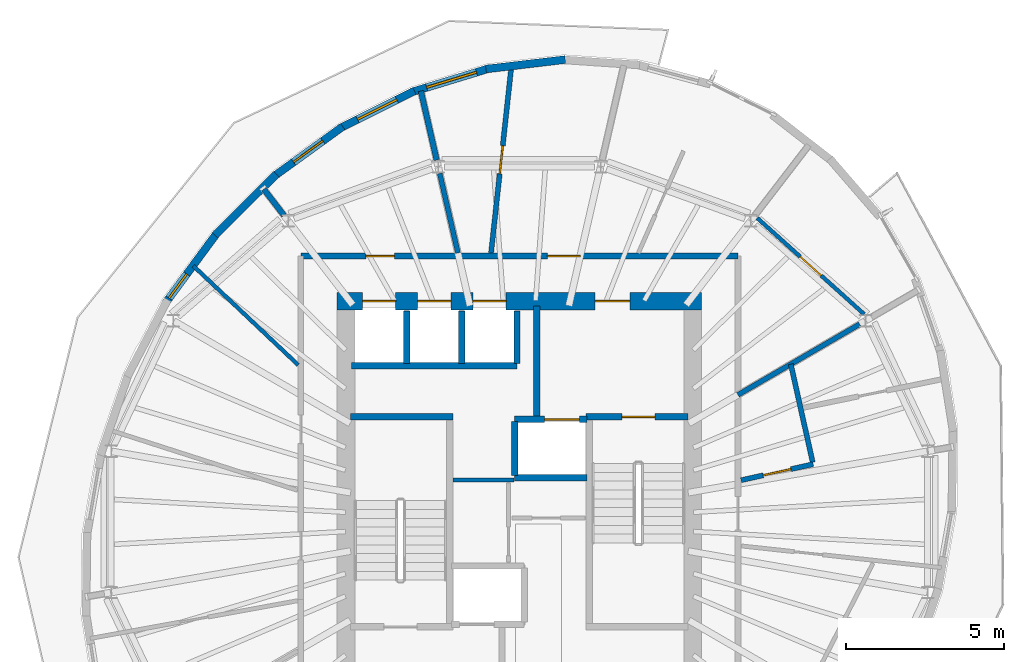
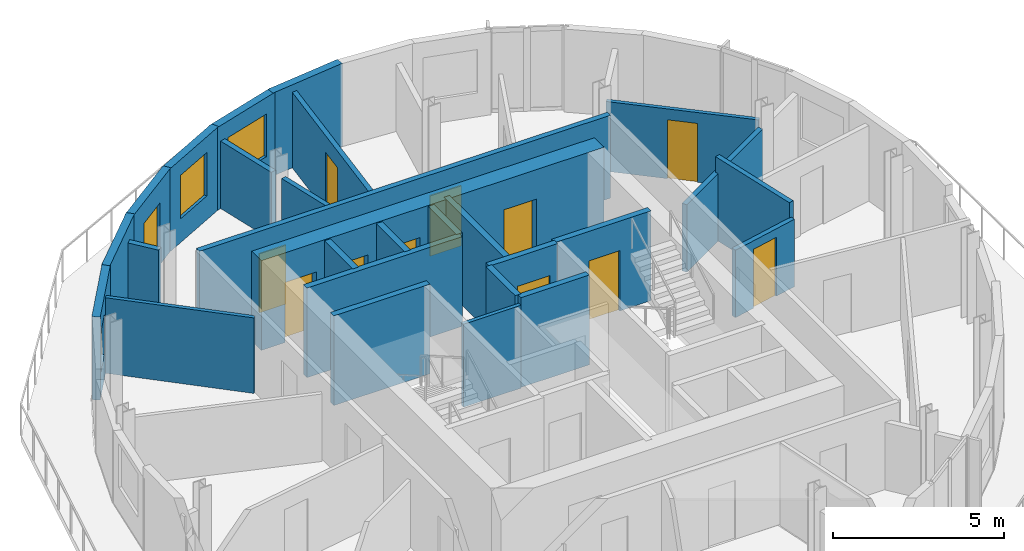
# One storey, part 6 of 9: 28 walls, 12 doors, 3 windows, 15 openings.
"""IFC4 building model written with IfcOpenShell, lengths in metres."""

from ifc_helpers import new_model, si_unit, direction, frame, frame_2d, origin, place, context, subcontext, project, spatial, rectangle, extrude, material, layer, layer_set, type_object, element, fill, save


model = new_model("IFC4")

# Units and contexts
model_context = context("Model", 3, precision=1e-05, world=origin(), true_north=direction((0.0, 1.0)))
body_context = subcontext(model_context, "Body", "Model", "MODEL_VIEW")
ifc_project = project(units=[si_unit("LENGTHUNIT", "METRE"), si_unit("AREAUNIT", "SQUARE_METRE"), si_unit("VOLUMEUNIT", "CUBIC_METRE"), si_unit("PLANEANGLEUNIT", "RADIAN"), si_unit("MASSUNIT", "GRAM", prefix="KILO")], contexts=[model_context])

# Site, building, storey
site_placement = place(None, origin())
site = spatial("IfcSite", under=ifc_project, at=site_placement, CompositionType="ELEMENT")
building_placement = place(site_placement, origin())
building = spatial("IfcBuilding", under=site, at=building_placement, Name="Veldorim Arch Residences", CompositionType="ELEMENT")
storey_placement = place(building_placement, frame((0.0, 0.0, 233.43994140625)))
storey = spatial("IfcBuildingStorey", under=building, at=storey_placement, Name="L70", CompositionType="ELEMENT", Elevation=233.43994140625)

# Wall
ifc_material_1 = material(Name="Acoustic Gypsum Board", Category="gypsum")
ifc_layer_1 = layer(ifc_material_1, 0.125, Name="Acoustic Stud Room Partition Wall 125")
ifc_layer_set_1 = layer_set([ifc_layer_1], Name="Acoustic Gypsum Board")
wall_type_1 = type_object("IfcWallType", Name="Acoustic Stud Room Partition Wall 125", PredefinedType="PARTITIONING", material=ifc_layer_set_1)
wall_1_placement = place(storey_placement, frame((29.889892578125, 25.330078125, 0.0), z_axis=(0.0, 0.0, 1.0), x_axis=(1.0, 0.0, 0.0)))
element("IfcWall", 1, at=wall_1_placement, inside=storey, type_object=wall_type_1, Name="L70 interior wall WL-CA-L70-N", PredefinedType="PARTITIONING", context=body_context, shape_type="SweptSolid", body=[
    extrude(rectangle(XDim=1.940185546875, YDim=0.125, at=frame_2d((0.97021484375, 0.0))), origin(), (0.0, 0.0, 1.0), 2.955078125),
])

# Wall, opening, door
wall_2_placement = place(storey_placement, frame((39.541015625, 33.635009765625, 0.0), z_axis=(0.0, 0.0, 1.0), x_axis=(0.743640369197, -0.668579839137, 0.0)))
wall_2 = element("IfcWall", 2, at=wall_2_placement, inside=storey, type_object=wall_type_1, Name="L70 interior wall WL-RES-L70-021", PredefinedType="PARTITIONING", context=body_context, shape_type="SweptSolid", body=[
    extrude(rectangle(XDim=4.556884765625, YDim=0.125, at=frame_2d((2.2783203125, 0.0))), origin(), (0.0, 0.0, 1.0), 2.488037109375),
])
opening_1_placement = place(wall_2_placement, frame((1.82861328125, 0.0, 0.0)))
opening_1 = element("IfcOpeningElement", 3, at=opening_1_placement, cuts=wall_2, Name="Opening DR-INT", PredefinedType="OPENING", context=body_context, shape_type="SweptSolid", body=[
    extrude(rectangle(XDim=0.89990234375, YDim=2.10009765625, at=frame_2d((0.449951171875, 1.050048828125))), frame((0.0, 0.072509765625, 0.0), z_axis=(0.0, -1.0, 0.0), x_axis=(1.0, 0.0, 0.0)), (0.0, 0.0, 1.0), 0.14501953125),
])
ifc_material_2 = material(Name="Engineered Timber", Category="wood")
door_type_1 = type_object("IfcDoorType", Name="Apartment Internal Room Timber Door 900x2100", OperationType="SINGLE_SWING_LEFT", PredefinedType="DOOR", material=ifc_material_2)
door_1_placement = place(opening_1_placement, origin())
door_1 = element("IfcDoor", 4, at=door_1_placement, inside=storey, type_object=door_type_1, Name="L70 interior door DR-RES-L70-014", OperationType="SINGLE_SWING_RIGHT", OverallHeight=2.10009765625, OverallWidth=0.89990234375, PredefinedType="DOOR", context=body_context, shape_type="SweptSolid", body=[
    extrude(rectangle(XDim=0.89990234375, YDim=2.10009765625, at=frame_2d((0.449951171875, 1.050048828125))), frame((0.0, 0.02490234375, 0.0), z_axis=(0.0, -1.0, 0.0), x_axis=(1.0, 0.0, 0.0)), (0.0, 0.0, 1.0), 0.050048828125),
])
fill(opening_1, door_1)

# Walls
wall_3_placement = place(storey_placement, frame((21.658203125, 32.118408203125, 0.0), z_axis=(0.0, 0.0, 1.0), x_axis=(0.726945050947, -0.686695633381, 0.0)))
element("IfcWall", 5, at=wall_3_placement, inside=storey, type_object=wall_type_1, Name="L70 interior wall WL-RES-L70-024", PredefinedType="PARTITIONING", context=body_context, shape_type="SweptSolid", body=[
    extrude(rectangle(XDim=4.573486328125, YDim=0.125, at=frame_2d((2.28662109375, 0.0))), origin(), (0.0, 0.0, 1.0), 2.692138671875),
])
ifc_material_3 = material(Name="Lightweight Masonry Block & Gypsum", Category="masonry")
ifc_layer_2 = layer(ifc_material_3, 0.179931640625, Name="Compartment & Corridor Fire-Rated Party Wall 180")
ifc_layer_set_2 = layer_set([ifc_layer_2], Name="Lightweight Masonry Block & Gypsum")
wall_type_2 = type_object("IfcWallType", Name="Compartment & Corridor Fire-Rated Party Wall 180", PredefinedType="PARTITIONING", material=ifc_layer_set_2)
wall_4_placement = place(storey_placement, frame((29.3759765625, 35.473388671875, 0.0), z_axis=(0.0, 0.0, 1.0), x_axis=(-0.223034234637, 0.974810612468, 0.0)))
element("IfcWall", 6, at=wall_4_placement, inside=storey, type_object=wall_type_2, Name="L70 interior wall WL-PIER-L70-05", PredefinedType="PARTITIONING", context=body_context, shape_type="SweptSolid", body=[
    extrude(rectangle(XDim=2.247314453125, YDim=0.179931640625, at=frame_2d((1.12353515625, 0.0))), origin(), (0.0, 0.0, 1.0), 2.403564453125),
])
wall_5_placement = place(storey_placement, frame((24.53271484375, 33.719482421875, 0.0), z_axis=(0.0, 0.0, 1.0), x_axis=(-0.609328843401, 0.792917625356, 0.0)))
element("IfcWall", 7, at=wall_5_placement, inside=storey, type_object=wall_type_2, Name="L70 interior wall WL-PIER-L70-06", PredefinedType="PARTITIONING", context=body_context, shape_type="SweptSolid", body=[
    extrude(rectangle(XDim=1.050537109375, YDim=0.179931640625, at=frame_2d((0.525390625, 0.0))), origin(), (0.0, 0.0, 1.0), 2.403564453125),
])

# Wall, openings, doors
wall_6_placement = place(storey_placement, frame((25.070068359375, 32.429931640625, 0.0), z_axis=(0.0, 0.0, 1.0), x_axis=(1.0, 0.0, 0.0)))
wall_6 = element("IfcWall", 8, at=wall_6_placement, inside=storey, type_object=wall_type_2, Name="L70 interior wall WL-RES-L70-004", PredefinedType="PARTITIONING", context=body_context, shape_type="SweptSolid", body=[
    extrude(rectangle(XDim=13.85986328125, YDim=0.179931640625, at=frame_2d((6.929931640625, 0.0))), origin(), (0.0, 0.0, 1.0), 2.955078125),
])
opening_2_placement = place(wall_6_placement, frame((7.816162109375, 0.0, 0.0)))
opening_2 = element("IfcOpeningElement", 9, at=opening_2_placement, cuts=wall_6, Name="Opening DR-FLT", PredefinedType="OPENING", context=body_context, shape_type="SweptSolid", body=[
    extrude(rectangle(XDim=1.050048828125, YDim=2.14990234375, at=frame_2d((0.52490234375, 1.074951171875))), frame((0.0, 0.099853515625, 0.0), z_axis=(0.0, -1.0, 0.0), x_axis=(1.0, 0.0, 0.0)), (0.0, 0.0, 1.0), 0.199951171875),
])
opening_3_placement = place(wall_6_placement, frame((2.06103515625, 0.0, 0.0)))
opening_3 = element("IfcOpeningElement", 10, at=opening_3_placement, cuts=wall_6, Name="Opening DR-INT", PredefinedType="OPENING", context=body_context, shape_type="SweptSolid", body=[
    extrude(rectangle(XDim=0.89990234375, YDim=2.10009765625, at=frame_2d((0.449951171875, 1.050048828125))), frame((0.0, 0.099853515625, 0.0), z_axis=(0.0, -1.0, 0.0), x_axis=(1.0, 0.0, 0.0)), (0.0, 0.0, 1.0), 0.199951171875),
])
ifc_material_4 = material(Name="Fire-Rated Timber", Category="wood")
door_type_2 = type_object("IfcDoorType", Name="Apartment Entrance Solid-Core Fire Door 1050x2150", OperationType="SINGLE_SWING_LEFT", PredefinedType="DOOR", material=ifc_material_4)
door_2_placement = place(opening_2_placement, origin())
door_2 = element("IfcDoor", 11, at=door_2_placement, inside=storey, type_object=door_type_2, Name="L70 interior door DR-RES-L70-011", OperationType="SINGLE_SWING_LEFT", OverallHeight=2.14990234375, OverallWidth=1.050048828125, PredefinedType="DOOR", context=body_context, shape_type="SweptSolid", body=[
    extrude(rectangle(XDim=1.050048828125, YDim=2.14990234375, at=frame_2d((0.52490234375, 1.074951171875))), frame((0.0, 0.02490234375, 0.0), z_axis=(0.0, -1.0, 0.0), x_axis=(1.0, 0.0, 0.0)), (0.0, 0.0, 1.0), 0.050048828125),
])
fill(opening_2, door_2)
door_3_placement = place(opening_3_placement, origin())
door_3 = element("IfcDoor", 12, at=door_3_placement, inside=storey, type_object=door_type_1, Name="L70 interior door DR-RES-L70-017", OperationType="SINGLE_SWING_LEFT", OverallHeight=2.10009765625, OverallWidth=0.89990234375, PredefinedType="DOOR", context=body_context, shape_type="SweptSolid", body=[
    extrude(rectangle(XDim=0.89990234375, YDim=2.10009765625, at=frame_2d((0.449951171875, 1.050048828125))), frame((0.0, 0.02490234375, 0.0), z_axis=(0.0, -1.0, 0.0), x_axis=(1.0, 0.0, 0.0)), (0.0, 0.0, 1.0), 0.050048828125),
])
fill(opening_3, door_3)

# Wall
ifc_material_5 = material(Name="Concrete C50/60", Category="concrete")
ifc_layer_3 = layer(ifc_material_5, 0.199951171875, Name="Core Stair & Lift Shaft Enclosure Wall 200")
ifc_layer_set_3 = layer_set([ifc_layer_3], Name="Concrete C50/60")
wall_type_3 = type_object("IfcWallType", Name="Core Stair & Lift Shaft Enclosure Wall 200", PredefinedType="SHEAR", material=ifc_layer_set_3)
wall_7_placement = place(storey_placement, frame((26.64990234375, 27.330078125, 0.0), z_axis=(0.0, 0.0, 1.0), x_axis=(1.0, 0.0, 0.0)))
element("IfcWall", 13, at=wall_7_placement, inside=storey, type_object=wall_type_3, Name="L70 shaft wall WL-SHF-L70-ST1-N", PredefinedType="SHEAR", context=body_context, shape_type="SweptSolid", body=[
    extrude(rectangle(XDim=3.239990234375, YDim=0.199951171875, at=frame_2d((1.6201171875, 0.0))), origin(), (0.0, 0.0, 1.0), 3.199951171875),
])

# Wall, opening, door
wall_8_placement = place(storey_placement, frame((34.110107421875, 27.330078125, 0.0), z_axis=(0.0, 0.0, 1.0), x_axis=(1.0, 0.0, 0.0)))
wall_8 = element("IfcWall", 14, at=wall_8_placement, inside=storey, type_object=wall_type_3, Name="L70 shaft wall WL-SHF-L70-ST2-N", PredefinedType="SHEAR", context=body_context, shape_type="SweptSolid", body=[
    extrude(rectangle(XDim=3.239990234375, YDim=0.199951171875, at=frame_2d((1.6201171875, 0.0))), origin(), (0.0, 0.0, 1.0), 3.199951171875),
])
opening_4_placement = place(wall_8_placement, frame((1.135009765625, 0.0, 0.0)))
opening_4 = element("IfcOpeningElement", 15, at=opening_4_placement, cuts=wall_8, Name="Opening DR-ST", PredefinedType="OPENING", context=body_context, shape_type="SweptSolid", body=[
    extrude(rectangle(XDim=1.050048828125, YDim=2.14990234375, at=frame_2d((0.52490234375, 1.074951171875))), frame((0.0, 0.10986328125, 0.0), z_axis=(0.0, -1.0, 0.0), x_axis=(1.0, 0.0, 0.0)), (0.0, 0.0, 1.0), 0.219970703125),
])
ifc_material_6 = material(Name="Fire-Rated Steel", Category="steel")
door_type_3 = type_object("IfcDoorType", Name="Exit Staircase Self-Closing Fire Door 1050x2150", OperationType="SINGLE_SWING_LEFT", PredefinedType="DOOR", material=ifc_material_6)
door_4_placement = place(opening_4_placement, origin())
door_4 = element("IfcDoor", 16, at=door_4_placement, inside=storey, type_object=door_type_3, Name="L70 interior door DR-L70-ST2", OperationType="SINGLE_SWING_RIGHT", OverallHeight=2.14990234375, OverallWidth=1.050048828125, PredefinedType="DOOR", context=body_context, shape_type="SweptSolid", body=[
    extrude(rectangle(XDim=1.050048828125, YDim=2.14990234375, at=frame_2d((0.52490234375, 1.074951171875))), frame((0.0, 0.02490234375, 0.0), z_axis=(0.0, -1.0, 0.0), x_axis=(1.0, 0.0, 0.0)), (0.0, 0.0, 1.0), 0.050048828125),
])
fill(opening_4, door_4)

# Wall
wall_9_placement = place(storey_placement, frame((32.550048828125, 27.35009765625, 0.0), z_axis=(0.0, 0.0, 1.0), x_axis=(0.0, 1.0, 0.0)))
element("IfcWall", 17, at=wall_9_placement, inside=storey, type_object=wall_type_3, Name="L70 shaft wall WL-FFL2-L70-W", PredefinedType="SHEAR", context=body_context, shape_type="SweptSolid", body=[
    extrude(rectangle(XDim=3.5, YDim=0.199951171875, at=frame_2d((1.75, 0.0))), origin(), (0.0, 0.0, 1.0), 3.199951171875),
])

# Wall, opening, door
wall_10_placement = place(storey_placement, frame((31.85009765625, 27.25, 0.0), z_axis=(0.0, 0.0, 1.0), x_axis=(1.0, 0.0, 0.0)))
wall_10 = element("IfcWall", 18, at=wall_10_placement, inside=storey, type_object=wall_type_3, Name="L70 shaft wall WL-FL02-L70-N", PredefinedType="SHEAR", context=body_context, shape_type="SweptSolid", body=[
    extrude(rectangle(XDim=2.2998046875, YDim=0.199951171875, at=frame_2d((1.14990234375, 0.0))), origin(), (0.0, 0.0, 1.0), 3.199951171875),
])
opening_5_placement = place(wall_10_placement, frame((0.949951171875, 0.0, 0.0)))
opening_5 = element("IfcOpeningElement", 19, at=opening_5_placement, cuts=wall_10, Name="Opening LD-FF", PredefinedType="OPENING", context=body_context, shape_type="SweptSolid", body=[
    extrude(rectangle(XDim=1.10009765625, YDim=2.14990234375, at=frame_2d((0.550048828125, 1.074951171875))), frame((0.0, 0.10986328125, 0.0), z_axis=(0.0, -1.0, 0.0), x_axis=(1.0, 0.0, 0.0)), (0.0, 0.0, 1.0), 0.219970703125),
])
ifc_material_7 = material(Name="Stainless Steel", Category="steel")
door_type_4 = type_object("IfcDoorType", Name="Firefighting Lift Bi-Parting Sliding Landing Door 1100x2150", OperationType="DOUBLE_DOOR_SLIDING", PredefinedType="DOOR", material=ifc_material_7)
door_5_placement = place(opening_5_placement, origin())
door_5 = element("IfcDoor", 20, at=door_5_placement, inside=storey, type_object=door_type_4, Name="L70 lift landing door LD-L70-FL02", OperationType="DOUBLE_DOOR_SLIDING", OverallHeight=2.14990234375, OverallWidth=1.10009765625, PredefinedType="DOOR", context=body_context, shape_type="SweptSolid", body=[
    extrude(rectangle(XDim=1.10009765625, YDim=2.14990234375, at=frame_2d((0.550048828125, 1.074951171875))), frame((0.0, 0.02490234375, 0.0), z_axis=(0.0, -1.0, 0.0), x_axis=(1.0, 0.0, 0.0)), (0.0, 0.0, 1.0), 0.050048828125),
])
fill(opening_5, door_5)

# Walls
wall_11_placement = place(storey_placement, frame((31.85009765625, 25.39990234375, 0.0), z_axis=(0.0, 0.0, 1.0), x_axis=(1.0, 0.0, 0.0)))
element("IfcWall", 21, at=wall_11_placement, inside=storey, type_object=wall_type_3, Name="L70 shaft wall WL-FL02-L70-S", PredefinedType="SHEAR", context=body_context, shape_type="SweptSolid", body=[
    extrude(rectangle(XDim=2.2998046875, YDim=0.199951171875, at=frame_2d((1.14990234375, 0.0))), origin(), (0.0, 0.0, 1.0), 3.199951171875),
])
wall_12_placement = place(storey_placement, frame((31.85009765625, 25.469970703125, 0.0), z_axis=(0.0, 0.0, 1.0), x_axis=(0.0, 1.0, 0.0)))
element("IfcWall", 22, at=wall_12_placement, inside=storey, type_object=wall_type_3, Name="L70 shaft wall WL-FL02-L70-W", PredefinedType="SHEAR", context=body_context, shape_type="SweptSolid", body=[
    extrude(rectangle(XDim=1.7099609375, YDim=0.199951171875, at=frame_2d((0.85498046875, 0.0))), origin(), (0.0, 0.0, 1.0), 3.199951171875),
])
wall_13_placement = place(storey_placement, frame((26.679931640625, 28.949951171875, 0.0), z_axis=(0.0, 0.0, 1.0), x_axis=(1.0, 0.0, 0.0)))
element("IfcWall", 23, at=wall_13_placement, inside=storey, type_object=wall_type_3, Name="L70 shaft wall WL-B3-L70-S", PredefinedType="SHEAR", context=body_context, shape_type="SweptSolid", body=[
    extrude(rectangle(XDim=5.239990234375, YDim=0.199951171875, at=frame_2d((2.6201171875, 0.0))), origin(), (0.0, 0.0, 1.0), 3.199951171875),
])
for number, where, z_axis, x_axis, name in (
    (24, (31.919921875, 29.02001953125, 0.0), (0.0, 0.0, 1.0), (0.0, 1.0, 0.0), "L70 shaft wall WL-B3-L70-E"),
    (25, (28.425048828125, 29.02001953125, 0.0), (0.0, 0.0, 1.0), (0.0, 1.0, 0.0), "L70 shaft wall WL-B3-L70-D1"),
    (26, (30.175048828125, 29.02001953125, 0.0), (0.0, 0.0, 1.0), (0.0, 1.0, 0.0), "L70 shaft wall WL-B3-L70-D2"),
):
    element("IfcWall", number, at=place(storey_placement, frame(where, z_axis=z_axis, x_axis=x_axis)), inside=storey, type_object=wall_type_3, Name=name, PredefinedType="SHEAR", context=body_context, shape_type="SweptSolid", body=[
        extrude(rectangle(XDim=1.659912109375, YDim=0.199951171875, at=frame_2d((0.830078125, 0.0))), origin(), (0.0, 0.0, 1.0), 3.199951171875),
    ])
ifc_material_8 = material(Name="Precast concrete C40/50", Category="concrete")
ifc_layer_4 = layer(ifc_material_8, 0.25, Name="Tower Terracotta Spandrel & Pier Wall 250")
ifc_layer_set_4 = layer_set([ifc_layer_4], Name="Precast concrete C40/50")
wall_type_4 = type_object("IfcWallType", Name="Tower Terracotta Spandrel & Pier Wall 250", PredefinedType="SOLIDWALL", material=ifc_layer_set_4)
wall_14_placement = place(storey_placement, frame((30.938232421875, 38.36083984375, 0.0), z_axis=(0.0, 0.0, 1.0), x_axis=(0.992953737746, 0.118502635821, 0.0)))
element("IfcWall", 27, at=wall_14_placement, inside=storey, type_object=wall_type_4, Name="L70 terracotta facade wall 04", PredefinedType="SOLIDWALL", context=body_context, shape_type="SweptSolid", body=[
    extrude(rectangle(XDim=2.531982421875, YDim=0.25, at=frame_2d((1.26611328125, 0.0))), origin(), (0.0, 0.0, 1.0), 2.9599609375),
])

# Wall, opening, window
wall_15_placement = place(storey_placement, frame((28.568115234375, 37.6279296875, 0.0), z_axis=(0.0, 0.0, 1.0), x_axis=(0.956515193001, 0.291682508145, 0.0)))
wall_15 = element("IfcWall", 28, at=wall_15_placement, inside=storey, type_object=wall_type_4, Name="L70 terracotta facade wall 05", PredefinedType="SOLIDWALL", context=body_context, shape_type="SweptSolid", body=[
    extrude(rectangle(XDim=2.59228515625, YDim=0.25, at=frame_2d((1.296142578125, 0.0))), origin(), (0.0, 0.0, 1.0), 2.9599609375),
])
opening_6_placement = place(wall_15_placement, frame((0.512939453125, 0.0, 0.85009765625)))
opening_6 = element("IfcOpeningElement", 29, at=opening_6_placement, cuts=wall_15, Name="Opening WN-03", PredefinedType="OPENING", context=body_context, shape_type="SweptSolid", body=[
    extrude(rectangle(XDim=1.64990234375, YDim=1.52001953125, at=frame_2d((0.824951171875, 0.760009765625))), frame((0.0, 0.135009765625, 0.0), z_axis=(0.0, -1.0, 0.0), x_axis=(1.0, 0.0, 0.0)), (0.0, 0.0, 1.0), 0.27001953125),
])
ifc_material_9 = material(Name="Laminated Low-E Glass", Category="glass")
window_type_1 = type_object("IfcWindowType", Name="Residential Wide Window 1650x1550", PartitioningType="SINGLE_PANEL", PredefinedType="WINDOW", material=ifc_material_9)
window_1_placement = place(opening_6_placement, origin())
window_1 = element("IfcWindow", 30, at=window_1_placement, inside=storey, type_object=window_type_1, Name="L70 solar-control facade window 05", OverallHeight=1.52001953125, OverallWidth=1.64990234375, PartitioningType="SINGLE_PANEL", PredefinedType="WINDOW", context=body_context, shape_type="SweptSolid", body=[
    extrude(rectangle(XDim=1.64990234375, YDim=1.52001953125, at=frame_2d((0.824951171875, 0.760009765625))), frame((0.0, 0.030029296875, 0.0), z_axis=(0.0, -1.0, 0.0), x_axis=(1.0, 0.0, 0.0)), (0.0, 0.0, 1.0), 0.06005859375),
])
fill(opening_6, window_1)

wall_16_placement = place(storey_placement, frame((26.30126953125, 36.48095703125, 0.0), z_axis=(0.0, 0.0, 1.0), x_axis=(0.893929345503, 0.448207904045, 0.0)))
wall_16 = element("IfcWall", 31, at=wall_16_placement, inside=storey, type_object=wall_type_4, Name="L70 terracotta facade wall 06", PredefinedType="SOLIDWALL", context=body_context, shape_type="SweptSolid", body=[
    extrude(rectangle(XDim=2.651123046875, YDim=0.25, at=frame_2d((1.32568359375, 0.0))), origin(), (0.0, 0.0, 1.0), 2.9599609375),
])
opening_7_placement = place(wall_16_placement, frame((0.6259765625, 0.0, 0.85009765625)))
opening_7 = element("IfcOpeningElement", 32, at=opening_7_placement, cuts=wall_16, Name="Opening WN-02", PredefinedType="OPENING", context=body_context, shape_type="SweptSolid", body=[
    extrude(rectangle(XDim=1.39990234375, YDim=1.550048828125, at=frame_2d((0.699951171875, 0.77490234375))), frame((0.0, 0.135009765625, 0.0), z_axis=(0.0, -1.0, 0.0), x_axis=(1.0, 0.0, 0.0)), (0.0, 0.0, 1.0), 0.27001953125),
])
ifc_material_10 = material(Name="Laminated Low-E Glass", Category="glass")
window_type_2 = type_object("IfcWindowType", Name="Residential Casement Window 1400x1550", PartitioningType="SINGLE_PANEL", PredefinedType="WINDOW", material=ifc_material_10)
window_2_placement = place(opening_7_placement, origin())
window_2 = element("IfcWindow", 33, at=window_2_placement, inside=storey, type_object=window_type_2, Name="L70 solar-control facade window 06", OverallHeight=1.550048828125, OverallWidth=1.39990234375, PartitioningType="SINGLE_PANEL", PredefinedType="WINDOW", context=body_context, shape_type="SweptSolid", body=[
    extrude(rectangle(XDim=1.39990234375, YDim=1.550048828125, at=frame_2d((0.699951171875, 0.77490234375))), frame((0.0, 0.030029296875, 0.0), z_axis=(0.0, -1.0, 0.0), x_axis=(1.0, 0.0, 0.0)), (0.0, 0.0, 1.0), 0.06005859375),
])
fill(opening_7, window_2)

# Wall, opening, door
wall_17_placement = place(storey_placement, frame((24.206298828125, 34.954345703125, 0.0), z_axis=(0.0, 0.0, 1.0), x_axis=(0.810152271105, 0.586219496113, 0.0)))
wall_17 = element("IfcWall", 34, at=wall_17_placement, inside=storey, type_object=wall_type_4, Name="L70 terracotta facade wall 07", PredefinedType="SOLIDWALL", context=body_context, shape_type="SweptSolid", body=[
    extrude(rectangle(XDim=2.70166015625, YDim=0.25, at=frame_2d((1.350830078125, 0.0))), origin(), (0.0, 0.0, 1.0), 2.9599609375),
])
opening_8_placement = place(wall_17_placement, frame((0.77587890625, 0.0, 0.0)))
opening_8 = element("IfcOpeningElement", 35, at=opening_8_placement, cuts=wall_17, Name="Opening BL-DR", PredefinedType="OPENING", context=body_context, shape_type="SweptSolid", body=[
    extrude(rectangle(XDim=1.14990234375, YDim=2.199951171875, at=frame_2d((0.574951171875, 1.10009765625))), frame((0.0, 0.135009765625, 0.0), z_axis=(0.0, -1.0, 0.0), x_axis=(1.0, 0.0, 0.0)), (0.0, 0.0, 1.0), 0.27001953125),
])
ifc_material_11 = material(Name="Aluminium & Low-E Glass", Category="aluminium")
door_type_5 = type_object("IfcDoorType", Name="Glazed Planted Balcony Door 1150x2200", OperationType="SINGLE_SWING_LEFT", PredefinedType="DOOR", material=ifc_material_11)
door_6_placement = place(opening_8_placement, origin())
door_6 = element("IfcDoor", 36, at=door_6_placement, inside=storey, type_object=door_type_5, Name="L70 glazed outdoor terrace door BALC-1", OperationType="SINGLE_SWING_LEFT", OverallHeight=2.199951171875, OverallWidth=1.14990234375, PredefinedType="DOOR", context=body_context, shape_type="SweptSolid", body=[
    extrude(rectangle(XDim=1.14990234375, YDim=2.199951171875, at=frame_2d((0.574951171875, 1.10009765625))), frame((0.0, 0.02490234375, 0.0), z_axis=(0.0, -1.0, 0.0), x_axis=(1.0, 0.0, 0.0)), (0.0, 0.0, 1.0), 0.050048828125),
])
fill(opening_8, door_6)

# Wall
wall_18_placement = place(storey_placement, frame((22.347900390625, 33.09375, 0.0), z_axis=(0.0, 0.0, 1.0), x_axis=(0.709065267838, 0.705142854991, 0.0)))
element("IfcWall", 37, at=wall_18_placement, inside=storey, type_object=wall_type_4, Name="L70 terracotta facade wall 08", PredefinedType="SOLIDWALL", context=body_context, shape_type="SweptSolid", body=[
    extrude(rectangle(XDim=2.73876953125, YDim=0.25, at=frame_2d((1.369384765625, 0.0))), origin(), (0.0, 0.0, 1.0), 2.9599609375),
])

# Wall, opening, window
wall_19_placement = place(storey_placement, frame((20.78271484375, 30.9560546875, 0.0), z_axis=(0.0, 0.0, 1.0), x_axis=(0.59332282632, 0.804964610258, 0.0)))
wall_19 = element("IfcWall", 38, at=wall_19_placement, inside=storey, type_object=wall_type_4, Name="L70 terracotta facade wall 09", PredefinedType="SOLIDWALL", context=body_context, shape_type="SweptSolid", body=[
    extrude(rectangle(XDim=2.758056640625, YDim=0.25, at=frame_2d((1.37890625, 0.0))), origin(), (0.0, 0.0, 1.0), 2.9599609375),
])
opening_9_placement = place(wall_19_placement, frame((0.175048828125, 0.0, 0.85009765625)))
opening_9 = element("IfcOpeningElement", 39, at=opening_9_placement, cuts=wall_19, Name="Opening WN-05", PredefinedType="OPENING", context=body_context, shape_type="SweptSolid", body=[
    extrude(rectangle(XDim=0.949951171875, YDim=1.449951171875, at=frame_2d((0.47509765625, 0.72509765625))), frame((0.0, 0.135009765625, 0.0), z_axis=(0.0, -1.0, 0.0), x_axis=(1.0, 0.0, 0.0)), (0.0, 0.0, 1.0), 0.27001953125),
])
ifc_material_12 = material(Name="Laminated Low-E Glass", Category="glass")
window_type_3 = type_object("IfcWindowType", Name="Residential Compact Casement Window 950x1450", PartitioningType="SINGLE_PANEL", PredefinedType="WINDOW", material=ifc_material_12)
window_3_placement = place(opening_9_placement, origin())
window_3 = element("IfcWindow", 40, at=window_3_placement, inside=storey, type_object=window_type_3, Name="L70 solar-control facade window 09", OverallHeight=1.449951171875, OverallWidth=0.949951171875, PartitioningType="SINGLE_PANEL", PredefinedType="WINDOW", context=body_context, shape_type="SweptSolid", body=[
    extrude(rectangle(XDim=0.949951171875, YDim=1.449951171875, at=frame_2d((0.47509765625, 0.72509765625))), frame((0.0, 0.030029296875, 0.0), z_axis=(0.0, -1.0, 0.0), x_axis=(1.0, 0.0, 0.0)), (0.0, 0.0, 1.0), 0.06005859375),
])
fill(opening_9, window_3)

# Wall, openings, doors
ifc_material_13 = material(Name="Concrete C50/60", Category="concrete")
ifc_layer_5 = layer(ifc_material_13, 0.5, Name="Upper Central Core Shear Wall 560")
ifc_layer_set_5 = layer_set([ifc_layer_5], Name="Concrete C50/60")
wall_type_5 = type_object("IfcWallType", Name="Upper Central Core Shear Wall 560", PredefinedType="SHEAR", material=ifc_layer_set_5)
wall_20_placement = place(storey_placement, frame((26.219970703125, 31.0, 0.0), z_axis=(0.0, 0.0, 1.0), x_axis=(1.0, 0.0, 0.0)))
wall_20 = element("IfcWall", 41, at=wall_20_placement, inside=storey, type_object=wall_type_5, Name="L70 central core north shear wall", PredefinedType="SHEAR", context=body_context, shape_type="SweptSolid", body=[
    extrude(rectangle(XDim=11.56005859375, YDim=0.56005859375, at=frame_2d((5.780029296875, 0.0))), origin(), (0.0, 0.0, 1.0), 3.199951171875),
])
opening_10_placement = place(wall_20_placement, frame((8.179931640625, 0.0, 0.0)))
opening_10 = element("IfcOpeningElement", 42, at=opening_10_placement, cuts=wall_20, Name="Opening DR-FFL", PredefinedType="OPENING", context=body_context, shape_type="SweptSolid", body=[
    extrude(rectangle(XDim=1.10009765625, YDim=2.14990234375, at=frame_2d((0.550048828125, 1.074951171875))), frame((0.0, 0.2900390625, 0.0), z_axis=(0.0, -1.0, 0.0), x_axis=(1.0, 0.0, 0.0)), (0.0, 0.0, 1.0), 0.580078125),
])
opening_11_placement = place(wall_20_placement, frame((0.804931640625, 0.0, 0.0)))
opening_11 = element("IfcOpeningElement", 43, at=opening_11_placement, cuts=wall_20, Name="Opening LD-PS", PredefinedType="OPENING", context=body_context, shape_type="SweptSolid", body=[
    extrude(rectangle(XDim=1.050048828125, YDim=2.14990234375, at=frame_2d((0.52490234375, 1.074951171875))), frame((0.0, 0.2900390625, 0.0), z_axis=(0.0, -1.0, 0.0), x_axis=(1.0, 0.0, 0.0)), (0.0, 0.0, 1.0), 0.580078125),
])
opening_12_placement = place(wall_20_placement, frame((2.554931640625, 0.0, 0.0)))
opening_12 = element("IfcOpeningElement", 44, at=opening_12_placement, cuts=wall_20, Name="Opening LD-PS", PredefinedType="OPENING", context=body_context, shape_type="SweptSolid", body=[
    extrude(rectangle(XDim=1.050048828125, YDim=2.14990234375, at=frame_2d((0.52490234375, 1.074951171875))), frame((0.0, 0.2900390625, 0.0), z_axis=(0.0, -1.0, 0.0), x_axis=(1.0, 0.0, 0.0)), (0.0, 0.0, 1.0), 0.580078125),
])
opening_13_placement = place(wall_20_placement, frame((4.304931640625, 0.0, 0.0)))
opening_13 = element("IfcOpeningElement", 45, at=opening_13_placement, cuts=wall_20, Name="Opening LD-PS", PredefinedType="OPENING", context=body_context, shape_type="SweptSolid", body=[
    extrude(rectangle(XDim=1.050048828125, YDim=2.14990234375, at=frame_2d((0.52490234375, 1.074951171875))), frame((0.0, 0.2900390625, 0.0), z_axis=(0.0, -1.0, 0.0), x_axis=(1.0, 0.0, 0.0)), (0.0, 0.0, 1.0), 0.580078125),
])
ifc_material_14 = material(Name="Fire-Rated Steel & Vision Glass", Category="steel")
door_type_6 = type_object("IfcDoorType", Name="Firefighting Lobby Smoke-Stop Fire Door 1100x2150", OperationType="SINGLE_SWING_LEFT", PredefinedType="DOOR", material=ifc_material_14)
door_7_placement = place(opening_10_placement, origin())
door_7 = element("IfcDoor", 46, at=door_7_placement, inside=storey, type_object=door_type_6, Name="L70 interior door DR-L70-FFL2", OperationType="SINGLE_SWING_LEFT", OverallHeight=2.14990234375, OverallWidth=1.10009765625, PredefinedType="DOOR", context=body_context, shape_type="SweptSolid", body=[
    extrude(rectangle(XDim=1.10009765625, YDim=2.14990234375, at=frame_2d((0.550048828125, 1.074951171875))), frame((0.0, 0.02490234375, 0.0), z_axis=(0.0, -1.0, 0.0), x_axis=(1.0, 0.0, 0.0)), (0.0, 0.0, 1.0), 0.050048828125),
])
fill(opening_10, door_7)
ifc_material_15 = material(Name="Stainless Steel", Category="steel")
door_type_7 = type_object("IfcDoorType", Name="Passenger Lift Bi-Parting Sliding Landing Door 1050x2150", OperationType="DOUBLE_DOOR_SLIDING", PredefinedType="DOOR", material=ifc_material_15)
door_8_placement = place(opening_11_placement, origin())
door_8 = element("IfcDoor", 47, at=door_8_placement, inside=storey, type_object=door_type_7, Name="L70 lift landing door LD-L70-PL-08", OperationType="DOUBLE_DOOR_SLIDING", OverallHeight=2.14990234375, OverallWidth=1.050048828125, PredefinedType="DOOR", context=body_context, shape_type="SweptSolid", body=[
    extrude(rectangle(XDim=1.050048828125, YDim=2.14990234375, at=frame_2d((0.52490234375, 1.074951171875))), frame((0.0, 0.02490234375, 0.0), z_axis=(0.0, -1.0, 0.0), x_axis=(1.0, 0.0, 0.0)), (0.0, 0.0, 1.0), 0.050048828125),
])
fill(opening_11, door_8)
door_9_placement = place(opening_12_placement, origin())
door_9 = element("IfcDoor", 48, at=door_9_placement, inside=storey, type_object=door_type_7, Name="L70 lift landing door LD-L70-PL-09", OperationType="DOUBLE_DOOR_SLIDING", OverallHeight=2.14990234375, OverallWidth=1.050048828125, PredefinedType="DOOR", context=body_context, shape_type="SweptSolid", body=[
    extrude(rectangle(XDim=1.050048828125, YDim=2.14990234375, at=frame_2d((0.52490234375, 1.074951171875))), frame((0.0, 0.02490234375, 0.0), z_axis=(0.0, -1.0, 0.0), x_axis=(1.0, 0.0, 0.0)), (0.0, 0.0, 1.0), 0.050048828125),
])
fill(opening_12, door_9)
door_10_placement = place(opening_13_placement, origin())
door_10 = element("IfcDoor", 49, at=door_10_placement, inside=storey, type_object=door_type_7, Name="L70 lift landing door LD-L70-PL-10", OperationType="DOUBLE_DOOR_SLIDING", OverallHeight=2.14990234375, OverallWidth=1.050048828125, PredefinedType="DOOR", context=body_context, shape_type="SweptSolid", body=[
    extrude(rectangle(XDim=1.050048828125, YDim=2.14990234375, at=frame_2d((0.52490234375, 1.074951171875))), frame((0.0, 0.02490234375, 0.0), z_axis=(0.0, -1.0, 0.0), x_axis=(1.0, 0.0, 0.0)), (0.0, 0.0, 1.0), 0.050048828125),
])
fill(opening_13, door_10)

# Wall, opening, door
ifc_material_16 = material(Name="Moisture-Resistant Gypsum & Stud", Category="gypsum")
ifc_layer_6 = layer(ifc_material_16, 0.159912109375, Name="Wet-Area Moisture-Resistant Plumbing Wall 160")
ifc_layer_set_6 = layer_set([ifc_layer_6], Name="Moisture-Resistant Gypsum & Stud")
wall_type_6 = type_object("IfcWallType", Name="Wet-Area Moisture-Resistant Plumbing Wall 160", PredefinedType="PLUMBINGWALL", material=ifc_layer_set_6)
wall_21_placement = place(storey_placement, frame((39.027587890625, 25.3193359375, 0.0), z_axis=(0.0, 0.0, 1.0), x_axis=(0.976012638435, 0.217713870976, 0.0)))
wall_21 = element("IfcWall", 50, at=wall_21_placement, inside=storey, type_object=wall_type_6, Name="L70 interior wall WL-RES-L70-014", PredefinedType="PLUMBINGWALL", context=body_context, shape_type="SweptSolid", body=[
    extrude(rectangle(XDim=2.342529296875, YDim=0.159912109375, at=frame_2d((1.17138671875, 0.0))), origin(), (0.0, 0.0, 1.0), 2.403564453125),
])
opening_14_placement = place(wall_21_placement, frame((0.72119140625, 0.0, 0.0)))
opening_14 = element("IfcOpeningElement", 51, at=opening_14_placement, cuts=wall_21, Name="Opening DR-INT", PredefinedType="OPENING", context=body_context, shape_type="SweptSolid", body=[
    extrude(rectangle(XDim=0.89990234375, YDim=2.10009765625, at=frame_2d((0.449951171875, 1.050048828125))), frame((0.0, 0.08984375, 0.0), z_axis=(0.0, -1.0, 0.0), x_axis=(1.0, 0.0, 0.0)), (0.0, 0.0, 1.0), 0.179931640625),
])
door_11_placement = place(opening_14_placement, origin())
door_11 = element("IfcDoor", 52, at=door_11_placement, inside=storey, type_object=door_type_1, Name="L70 interior door DR-RES-L70-010", OperationType="SINGLE_SWING_RIGHT", OverallHeight=2.10009765625, OverallWidth=0.89990234375, PredefinedType="DOOR", context=body_context, shape_type="SweptSolid", body=[
    extrude(rectangle(XDim=0.89990234375, YDim=2.10009765625, at=frame_2d((0.449951171875, 1.050048828125))), frame((0.0, 0.02490234375, 0.0), z_axis=(0.0, -1.0, 0.0), x_axis=(1.0, 0.0, 0.0)), (0.0, 0.0, 1.0), 0.050048828125),
])
fill(opening_14, door_11)

# Walls
wall_22_placement = place(storey_placement, frame((41.30078125, 25.887939453125, 0.0), z_axis=(0.0, 0.0, 1.0), x_axis=(-0.217748881444, 0.97600482818, 0.0)))
element("IfcWall", 53, at=wall_22_placement, inside=storey, type_object=wall_type_6, Name="L70 interior wall WL-RES-L70-015", PredefinedType="PLUMBINGWALL", context=body_context, shape_type="SweptSolid", body=[
    extrude(rectangle(XDim=3.18994140625, YDim=0.159912109375, at=frame_2d((1.594970703125, 0.0))), origin(), (0.0, 0.0, 1.0), 2.955078125),
])
wall_23_placement = place(storey_placement, frame((38.929931640625, 28.027099609375, 0.0), z_axis=(0.0, 0.0, 1.0), x_axis=(0.864602761879, 0.502456032058, 0.0)))
element("IfcWall", 54, at=wall_23_placement, inside=storey, type_object=wall_type_6, Name="L70 interior wall WL-RES-L70-016", PredefinedType="PLUMBINGWALL", context=body_context, shape_type="SweptSolid", body=[
    extrude(rectangle(XDim=4.46484375, YDim=0.159912109375, at=frame_2d((2.232421875, 0.0))), origin(), (0.0, 0.0, 1.0), 2.403564453125),
])

# Wall, opening, door
wall_24_placement = place(storey_placement, frame((31.10107421875, 32.529296875, 0.0), z_axis=(0.0, 0.0, 1.0), x_axis=(0.108201168301, 0.994129019382, 0.0)))
wall_24 = element("IfcWall", 55, at=wall_24_placement, inside=storey, type_object=wall_type_6, Name="L70 interior wall WL-RES-L70-018", PredefinedType="PLUMBINGWALL", context=body_context, shape_type="SweptSolid", body=[
    extrude(rectangle(XDim=5.94775390625, YDim=0.159912109375, at=frame_2d((2.973876953125, 0.0))), origin(), (0.0, 0.0, 1.0), 2.692138671875),
])
opening_15_placement = place(wall_24_placement, frame((2.52392578125, 0.0, 0.0)))
opening_15 = element("IfcOpeningElement", 56, at=opening_15_placement, cuts=wall_24, Name="Opening DR-WC", PredefinedType="OPENING", context=body_context, shape_type="SweptSolid", body=[
    extrude(rectangle(XDim=0.89990234375, YDim=2.10009765625, at=frame_2d((0.449951171875, 1.050048828125))), frame((0.0, 0.08984375, 0.0), z_axis=(0.0, -1.0, 0.0), x_axis=(1.0, 0.0, 0.0)), (0.0, 0.0, 1.0), 0.179931640625),
])
ifc_material_17 = material(Name="Laminate Timber", Category="wood")
door_type_8 = type_object("IfcDoorType", Name="Bathroom & Accessible WC Moisture-Sealed Door 900x2100", OperationType="SINGLE_SWING_LEFT", PredefinedType="DOOR", material=ifc_material_17)
door_12_placement = place(opening_15_placement, origin())
door_12 = element("IfcDoor", 57, at=door_12_placement, inside=storey, type_object=door_type_8, Name="L70 interior door DR-RES-L70-012", OperationType="SINGLE_SWING_RIGHT", OverallHeight=2.10009765625, OverallWidth=0.89990234375, PredefinedType="DOOR", context=body_context, shape_type="SweptSolid", body=[
    extrude(rectangle(XDim=0.89990234375, YDim=2.10009765625, at=frame_2d((0.449951171875, 1.050048828125))), frame((0.0, 0.02490234375, 0.0), z_axis=(0.0, -1.0, 0.0), x_axis=(1.0, 0.0, 0.0)), (0.0, 0.0, 1.0), 0.050048828125),
])
fill(opening_15, door_12)

# Wall
wall_25_placement = place(storey_placement, frame((30.049560546875, 32.527587890625, 0.0), z_axis=(0.0, 0.0, 1.0), x_axis=(-0.222970839845, 0.974825114869, 0.0)))
element("IfcWall", 58, at=wall_25_placement, inside=storey, type_object=wall_type_6, Name="L70 interior wall WL-RES-L70-020", PredefinedType="PLUMBINGWALL", context=body_context, shape_type="SweptSolid", body=[
    extrude(rectangle(XDim=2.58740234375, YDim=0.159912109375, at=frame_2d((1.293701171875, 0.0))), origin(), (0.0, 0.0, 1.0), 2.403564453125),
])

save(model, "model.ifc")
